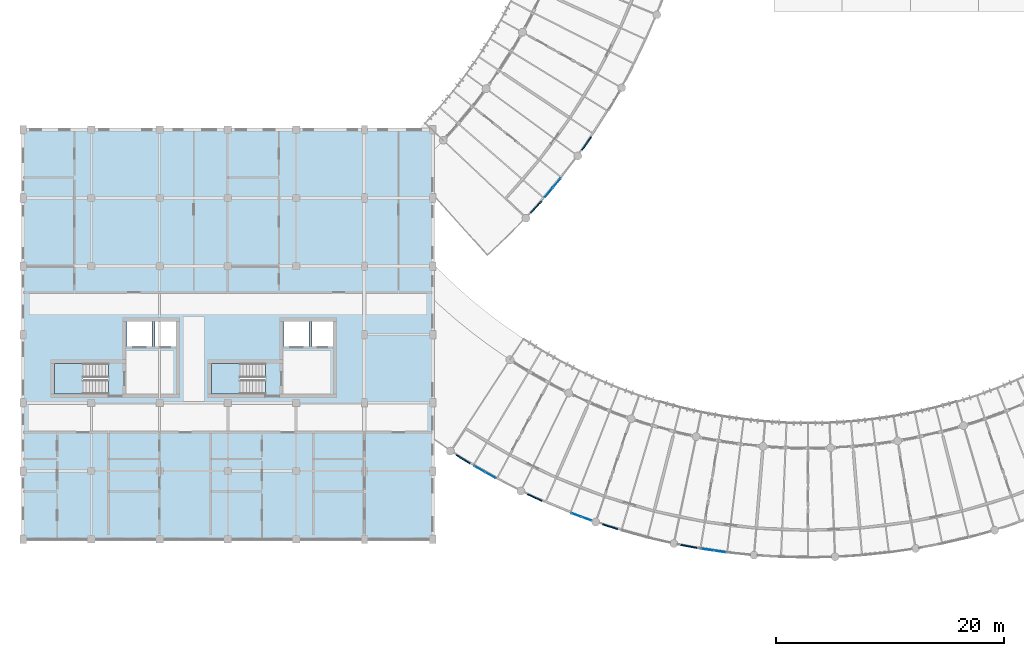
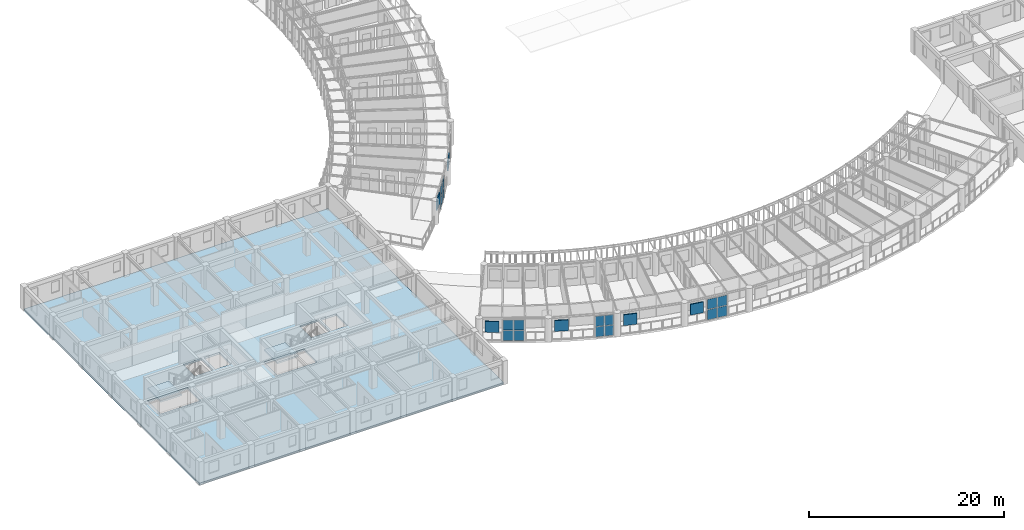
# One storey, part 43 of 100: 22 plates, 3 slabs, 6 elements without a shape of their own.
"""IFC4 building model written with IfcOpenShell, lengths in metres."""

from ifc_helpers import new_model, si_unit, direction, frame, origin, origin_2d, place, context, subcontext, project, spatial, polyline, rectangle, outline, extrude, material, layer, layer_set, type_object, element, aggregate, save


model = new_model("IFC4")

# Units and contexts
model_context = context("Model", 3, precision=1e-05, world=origin(), true_north=direction((0.0, 1.0)))
body_context = subcontext(model_context, "Body", "Model", "MODEL_VIEW")
ifc_project = project(units=[si_unit("LENGTHUNIT", "METRE"), si_unit("AREAUNIT", "SQUARE_METRE"), si_unit("VOLUMEUNIT", "CUBIC_METRE"), si_unit("PLANEANGLEUNIT", "RADIAN"), si_unit("MASSUNIT", "GRAM", prefix="KILO"), si_unit("POWERUNIT", "WATT"), si_unit("THERMODYNAMICTEMPERATUREUNIT", "KELVIN")], contexts=[model_context])

# Site, building, storey
site_placement = place(None, origin())
site = spatial("IfcSite", under=ifc_project, at=site_placement, CompositionType="ELEMENT")
building_placement = place(site_placement, origin())
building = spatial("IfcBuilding", under=site, at=building_placement, Name="Ruvembo Vaulted Housing Court", CompositionType="ELEMENT")
storey_placement = place(building_placement, frame((0.0, 0.0, 10.89990234375)))
storey = spatial("IfcBuildingStorey", under=building, at=storey_placement, Name="L03", CompositionType="ELEMENT", Elevation=10.89990234375)

# Curtain wall, plates
ifc_material_1 = material(Name="Anodised Aluminium and Solar-Control Glass", Category="aluminium")
ifc_layer_1 = layer(ifc_material_1, 0.1201171875, Name="Anodised Aluminium and Solar-Control Glass")
ifc_layer_set_1 = layer_set([ifc_layer_1], Name="Anodised Aluminium and Solar-Control Glass")
curtain_wall_type_1 = type_object("IfcCurtainWallType", Name="CW-SCOOP-GAL", PredefinedType="NOTDEFINED", material=ifc_layer_set_1)
curtain_wall_1_placement = place(storey_placement, origin())
curtain_wall_1 = element("IfcCurtainWall", 1, at=curtain_wall_1_placement, inside=storey, type_object=curtain_wall_type_1, Name="L03 Curtain Wall CW-L03-0042", PredefinedType="NOTDEFINED")
ifc_material_2 = material(Name="Solar-Control Laminated Insulating Glass", Category="glass")
ifc_layer_2 = layer(ifc_material_2, 0.035888671875, Name="Solar-Control Laminated Insulating Glass")
ifc_layer_set_2 = layer_set([ifc_layer_2], Name="Solar-Control Laminated Insulating Glass")
plate_type_1 = type_object("IfcPlateType", Name="CW-PANEL-ACOUST", PredefinedType="CURTAIN_PANEL", material=ifc_layer_set_2)
plate_1_placement = place(storey_placement, frame((48.62841796875, 8.132080078125, 0.06005859375), z_axis=(0.0, 0.0, 1.0), x_axis=(0.939141570025, -0.343530364672, 0.0)))
plate_1 = element("IfcPlate", 2, at=plate_1_placement, type_object=plate_type_1, Name="CW6 panel 1.1", PredefinedType="CURTAIN_PANEL", context=body_context, shape_type="SweptSolid", body=[
    extrude(rectangle(XDim=0.890380859375, YDim=0.035888671875, at=origin_2d()), origin(), (0.0, 0.0, 1.0), 1.259033203125),
])
plate_2_placement = place(storey_placement, frame((48.62841796875, 8.132080078125, 1.37890625), z_axis=(0.0, 0.0, 1.0), x_axis=(0.939141570025, -0.343530364672, 0.0)))
plate_2 = element("IfcPlate", 3, at=plate_2_placement, type_object=plate_type_1, Name="CW6 panel 1.2", PredefinedType="CURTAIN_PANEL", context=body_context, shape_type="SweptSolid", body=[
    extrude(rectangle(XDim=0.890380859375, YDim=0.035888671875, at=origin_2d()), origin(), (0.0, 0.0, 1.0), 1.259033203125),
])
plate_3_placement = place(storey_placement, frame((49.52587890625, 7.803955078125, 0.06005859375), z_axis=(0.0, 0.0, 1.0), x_axis=(0.939141570025, -0.343530364672, 0.0)))
plate_3 = element("IfcPlate", 4, at=plate_3_placement, type_object=plate_type_1, Name="CW6 panel 2.1", PredefinedType="CURTAIN_PANEL", context=body_context, shape_type="SweptSolid", body=[
    extrude(rectangle(XDim=0.890380859375, YDim=0.035888671875, at=origin_2d()), origin(), (0.0, 0.0, 1.0), 1.259033203125),
])
plate_4_placement = place(storey_placement, frame((49.52587890625, 7.803955078125, 1.37890625), z_axis=(0.0, 0.0, 1.0), x_axis=(0.939141570025, -0.343530364672, 0.0)))
plate_4 = element("IfcPlate", 5, at=plate_4_placement, type_object=plate_type_1, Name="CW6 panel 2.2", PredefinedType="CURTAIN_PANEL", context=body_context, shape_type="SweptSolid", body=[
    extrude(rectangle(XDim=0.890380859375, YDim=0.035888671875, at=origin_2d()), origin(), (0.0, 0.0, 1.0), 1.259033203125),
])
aggregate(curtain_wall_1, [plate_1, plate_2, plate_3, plate_4])

curtain_wall_2_placement = place(storey_placement, origin())
curtain_wall_2 = element("IfcCurtainWall", 6, at=curtain_wall_2_placement, inside=storey, type_object=curtain_wall_type_1, Name="L03 Curtain Wall CW-L03-0017", PredefinedType="NOTDEFINED")
ifc_layer_3 = layer(ifc_material_2, 0.028076171875, Name="Solar-Control Laminated Insulating Glass")
ifc_layer_set_3 = layer_set([ifc_layer_3], Name="Solar-Control Laminated Insulating Glass")
plate_type_2 = type_object("IfcPlateType", Name="CW-PANEL-GLAZED", PredefinedType="CURTAIN_PANEL", material=ifc_layer_set_3)
plate_5_placement = place(storey_placement, frame((46.207763671875, 36.468994140625, 0.06005859375), z_axis=(0.0, 0.0, 1.0), x_axis=(0.639868943167, 0.768484050303, 0.0)))
plate_5 = element("IfcPlate", 7, at=plate_5_placement, type_object=plate_type_2, Name="CW6 panel 1.1", PredefinedType="CURTAIN_PANEL", context=body_context, shape_type="SweptSolid", body=[
    extrude(rectangle(XDim=1.04833984375, YDim=0.028076171875, at=origin_2d()), origin(), (0.0, 0.0, 1.0), 1.259033203125),
])
plate_6_placement = place(storey_placement, frame((46.207763671875, 36.468994140625, 1.37890625), z_axis=(0.0, 0.0, 1.0), x_axis=(0.639868943167, 0.768484050303, 0.0)))
plate_6 = element("IfcPlate", 8, at=plate_6_placement, type_object=plate_type_2, Name="CW6 panel 1.2", PredefinedType="CURTAIN_PANEL", context=body_context, shape_type="SweptSolid", body=[
    extrude(rectangle(XDim=1.04833984375, YDim=0.028076171875, at=origin_2d()), origin(), (0.0, 0.0, 1.0), 1.259033203125),
])
plate_7_placement = place(storey_placement, frame((46.9169921875, 37.32080078125, 0.06005859375), z_axis=(0.0, 0.0, 1.0), x_axis=(0.639868943167, 0.768484050303, 0.0)))
plate_7 = element("IfcPlate", 9, at=plate_7_placement, type_object=plate_type_2, Name="CW6 panel 2.1", PredefinedType="CURTAIN_PANEL", context=body_context, shape_type="SweptSolid", body=[
    extrude(rectangle(XDim=1.04833984375, YDim=0.028076171875, at=origin_2d()), origin(), (0.0, 0.0, 1.0), 1.259033203125),
])
plate_8_placement = place(storey_placement, frame((46.9169921875, 37.32080078125, 1.37890625), z_axis=(0.0, 0.0, 1.0), x_axis=(0.639868943167, 0.768484050303, 0.0)))
plate_8 = element("IfcPlate", 10, at=plate_8_placement, type_object=plate_type_2, Name="CW6 panel 2.2", PredefinedType="CURTAIN_PANEL", context=body_context, shape_type="SweptSolid", body=[
    extrude(rectangle(XDim=1.04833984375, YDim=0.028076171875, at=origin_2d()), origin(), (0.0, 0.0, 1.0), 1.259033203125),
])
aggregate(curtain_wall_2, [plate_5, plate_6, plate_7, plate_8])

curtain_wall_3_placement = place(storey_placement, origin())
curtain_wall_3 = element("IfcCurtainWall", 11, at=curtain_wall_3_placement, inside=storey, type_object=curtain_wall_type_1, Name="L03 Curtain Wall CW-L03-0041", PredefinedType="NOTDEFINED")
plate_9_placement = place(storey_placement, frame((40.120849609375, 12.173828125, 0.06005859375), z_axis=(0.0, 0.0, 1.0), x_axis=(0.869984489964, -0.493079088202, 0.0)))
plate_9 = element("IfcPlate", 12, at=plate_9_placement, type_object=plate_type_2, Name="CW6 panel 1.1", PredefinedType="CURTAIN_PANEL", context=body_context, shape_type="SweptSolid", body=[
    extrude(rectangle(XDim=1.0478515625, YDim=0.028076171875, at=origin_2d()), origin(), (0.0, 0.0, 1.0), 1.259033203125),
])
plate_10_placement = place(storey_placement, frame((40.120849609375, 12.173828125, 1.37890625), z_axis=(0.0, 0.0, 1.0), x_axis=(0.869984489964, -0.493079088202, 0.0)))
plate_10 = element("IfcPlate", 13, at=plate_10_placement, type_object=plate_type_2, Name="CW6 panel 1.2", PredefinedType="CURTAIN_PANEL", context=body_context, shape_type="SweptSolid", body=[
    extrude(rectangle(XDim=1.0478515625, YDim=0.028076171875, at=origin_2d()), origin(), (0.0, 0.0, 1.0), 1.259033203125),
])
plate_11_placement = place(storey_placement, frame((41.084716796875, 11.62744140625, 0.06005859375), z_axis=(0.0, 0.0, 1.0), x_axis=(0.869984489964, -0.493079088202, 0.0)))
plate_11 = element("IfcPlate", 14, at=plate_11_placement, type_object=plate_type_2, Name="CW6 panel 2.1", PredefinedType="CURTAIN_PANEL", context=body_context, shape_type="SweptSolid", body=[
    extrude(rectangle(XDim=1.0478515625, YDim=0.028076171875, at=origin_2d()), origin(), (0.0, 0.0, 1.0), 1.259033203125),
])
plate_12_placement = place(storey_placement, frame((41.084716796875, 11.62744140625, 1.37890625), z_axis=(0.0, 0.0, 1.0), x_axis=(0.869984489964, -0.493079088202, 0.0)))
plate_12 = element("IfcPlate", 15, at=plate_12_placement, type_object=plate_type_2, Name="CW6 panel 2.2", PredefinedType="CURTAIN_PANEL", context=body_context, shape_type="SweptSolid", body=[
    extrude(rectangle(XDim=1.0478515625, YDim=0.028076171875, at=origin_2d()), origin(), (0.0, 0.0, 1.0), 1.259033203125),
])
aggregate(curtain_wall_3, [plate_9, plate_10, plate_11, plate_12])

ifc_layer_4 = layer(ifc_material_1, 0.139892578125, Name="Anodised Aluminium and Solar-Control Glass")
ifc_layer_set_4 = layer_set([ifc_layer_4], Name="Anodised Aluminium and Solar-Control Glass")
curtain_wall_type_2 = type_object("IfcCurtainWallType", Name="CW-SCOOP-PAN", PredefinedType="NOTDEFINED", material=ifc_layer_set_4)
curtain_wall_4_placement = place(storey_placement, origin())
curtain_wall_4 = element("IfcCurtainWall", 16, at=curtain_wall_4_placement, inside=storey, type_object=curtain_wall_type_2, Name="L03 Curtain Wall CW-L03-0043", PredefinedType="NOTDEFINED")
ifc_layer_5 = layer(ifc_material_2, 0.031982421875, Name="Solar-Control Laminated Insulating Glass")
ifc_layer_set_5 = layer_set([ifc_layer_5], Name="Solar-Control Laminated Insulating Glass")
plate_type_3 = type_object("IfcPlateType", Name="CW-PANEL-SOLAR", PredefinedType="CURTAIN_PANEL", material=ifc_layer_set_5)
plate_13_placement = place(storey_placement, frame((60.16455078125, 5.09130859375, 0.065185546875), z_axis=(0.0, 0.0, 1.0), x_axis=(0.989599407362, -0.143850661969, 0.0)))
plate_13 = element("IfcPlate", 17, at=plate_13_placement, type_object=plate_type_3, Name="CW10 panel 1.1", PredefinedType="CURTAIN_PANEL", context=body_context, shape_type="SweptSolid", body=[
    extrude(rectangle(XDim=1.055419921875, YDim=0.031982421875, at=origin_2d()), origin(), (0.0, 0.0, 1.0), 1.25146484375),
])
plate_14_placement = place(storey_placement, frame((60.16455078125, 5.09130859375, 1.381591796875), z_axis=(0.0, 0.0, 1.0), x_axis=(0.989599407362, -0.143850661969, 0.0)))
plate_14 = element("IfcPlate", 18, at=plate_14_placement, type_object=plate_type_3, Name="CW10 panel 1.2", PredefinedType="CURTAIN_PANEL", context=body_context, shape_type="SweptSolid", body=[
    extrude(rectangle(XDim=1.055419921875, YDim=0.031982421875, at=origin_2d()), origin(), (0.0, 0.0, 1.0), 1.25146484375),
])
plate_15_placement = place(storey_placement, frame((61.263427734375, 4.931640625, 0.065185546875), z_axis=(0.0, 0.0, 1.0), x_axis=(0.989599407362, -0.143850661969, 0.0)))
plate_15 = element("IfcPlate", 19, at=plate_15_placement, type_object=plate_type_3, Name="CW10 panel 2.1", PredefinedType="CURTAIN_PANEL", context=body_context, shape_type="SweptSolid", body=[
    extrude(rectangle(XDim=1.055419921875, YDim=0.031982421875, at=origin_2d()), origin(), (0.0, 0.0, 1.0), 1.25146484375),
])
plate_16_placement = place(storey_placement, frame((61.263427734375, 4.931640625, 1.381591796875), z_axis=(0.0, 0.0, 1.0), x_axis=(0.989599407362, -0.143850661969, 0.0)))
plate_16 = element("IfcPlate", 20, at=plate_16_placement, type_object=plate_type_3, Name="CW10 panel 2.2", PredefinedType="CURTAIN_PANEL", context=body_context, shape_type="SweptSolid", body=[
    extrude(rectangle(XDim=1.055419921875, YDim=0.031982421875, at=origin_2d()), origin(), (0.0, 0.0, 1.0), 1.25146484375),
])
aggregate(curtain_wall_4, [plate_13, plate_14, plate_15, plate_16])

# Plates
ifc_material_3 = material(Name="Perforated Glazed Ceramic Cobogo Block", Category="ceramic")
ifc_layer_6 = layer(ifc_material_3, 0.1201171875, Name="Perforated Glazed Ceramic Cobogo Block")
ifc_layer_set_6 = layer_set([ifc_layer_6], Name="Perforated Glazed Ceramic Cobogo Block")
plate_type_4 = type_object("IfcPlateType", Name="PL-COBOGO-120", PredefinedType="USERDEFINED", material=ifc_layer_set_6)
for number, where, z_axis, x_axis, name in (
    (21, (45.105712890625, 35.2119140625, 1.1201171875), (0.0, 0.0, 1.0), (0.670815024682, 0.741624704726, 0.0), "Scoop SC1 L03 Ceramic Cobogo Screen #13"),
    (22, (49.53662109375, 40.790283203125, 1.1201171875), (0.0, 0.0, 1.0), (0.574805323191, 0.818290193288, 0.0), "Scoop SC1 L03 Ceramic Cobogo Screen #14"),
    (23, (38.68798828125, 13.03515625, 1.1201171875), (0.0, 0.0, 1.0), (0.848888670256, -0.528571684363, 0.0), "Scoop SC2 L03 Ceramic Cobogo Screen #47"),
    (24, (44.964111328125, 9.66796875, 1.1201171875), (0.0, 0.0, 1.0), (0.90764565898, -0.419737248448, 0.0), "Scoop SC2 L03 Ceramic Cobogo Screen #48"),
    (25, (51.608154296875, 7.10107421875, 1.1201171875), (0.0, 0.0, 1.0), (0.952523417345, -0.304465333674, 0.0), "Scoop SC2 L03 Ceramic Cobogo Screen #49"),
    (26, (58.51806640625, 5.3740234375, 1.1201171875), (0.0, 0.0, 1.0), (0.982816353606, -0.184586064165, 0.0), "Scoop SC2 L03 Ceramic Cobogo Screen #50"),
):
    element("IfcPlate", number, at=place(storey_placement, frame(where, z_axis=z_axis, x_axis=x_axis)), inside=storey, type_object=plate_type_4, Name=name, ObjectType="COBOGO_PANEL", PredefinedType="USERDEFINED", context=body_context, shape_type="SweptSolid", body=[
        extrude(rectangle(XDim=1.39990234375, YDim=0.1201171875, at=origin_2d()), origin(), (0.0, 0.0, 1.0), 1.360107421875),
    ])

# Slab
ifc_material_4 = material(Name="Concrete C30/37", Category="concrete")
ifc_layer_7 = layer(ifc_material_4, 0.2451171875, Name="Concrete C30/37")
ifc_layer_set_7 = layer_set([ifc_layer_7], Name="Concrete C30/37")
slab_type_1 = type_object("IfcSlabType", Name="SL-FLR-245", PredefinedType="FLOOR", material=ifc_layer_set_7)
slab_1_placement = place(storey_placement, frame((0.0, 0.0, -0.244873046875)))
element("IfcSlab", 27, at=slab_1_placement, inside=storey, type_object=slab_type_1, Name="Block A L03 Structural Floor Slab", PredefinedType="FLOOR", context=body_context, shape_type="SweptSolid", body=[
    extrude(outline(polyline([(36.0, 6.0), (36.0, 42.0), (0.0, 42.0), (0.0, 6.0), (36.0, 6.0)]), holes=[polyline([(7.5, 21.449951171875), (2.75, 21.449951171875), (2.75, 18.75), (7.5, 18.75), (7.5, 21.449951171875)]), polyline([(9.14990234375, 22.85009765625), (11.35009765625, 22.85009765625), (11.35009765625, 25.25), (9.14990234375, 25.25), (9.14990234375, 22.85009765625)]), polyline([(11.60009765625, 22.85009765625), (13.449951171875, 22.85009765625), (13.449951171875, 25.25), (11.60009765625, 25.25), (11.60009765625, 22.85009765625)]), polyline([(21.300048828125, 21.449951171875), (16.550048828125, 21.449951171875), (16.550048828125, 18.75), (21.300048828125, 18.75), (21.300048828125, 21.449951171875)]), polyline([(22.949951171875, 22.85009765625), (25.14990234375, 22.85009765625), (25.14990234375, 25.25), (22.949951171875, 25.25), (22.949951171875, 22.85009765625)]), polyline([(25.39990234375, 22.85009765625), (27.25, 22.85009765625), (27.25, 25.25), (25.39990234375, 25.25), (25.39990234375, 22.85009765625)])]), origin(), (0.0, 0.0, 1.0), 0.244873046875),
])

# Stair, slab
ifc_material_5 = material(Name="Concrete C35/45", Category="concrete")
stair_type = type_object("IfcStairType", Name="STR-CORE-1250", PredefinedType="HALF_TURN_STAIR", material=ifc_material_5)
stair_1_placement = place(storey_placement, origin())
stair_1 = element("IfcStair", 28, at=stair_1_placement, inside=storey, type_object=stair_type, Name="L03 Protected Exit Stair ST-A1", PredefinedType="HALF_TURN_STAIR")
ifc_layer_8 = layer(ifc_material_4, 0.201904296875, Name="Concrete C30/37")
ifc_layer_set_8 = layer_set([ifc_layer_8], Name="Concrete C30/37")
slab_type_2 = type_object("IfcSlabType", Name="SL-LAND-202", PredefinedType="LANDING", material=ifc_layer_set_8)
slab_2_placement = place(storey_placement, frame((0.0, 0.0, 1.400146484375)))
slab_2 = element("IfcSlab", 29, at=slab_2_placement, type_object=slab_type_2, Name="ST-A1 landing 1", PredefinedType="LANDING", context=body_context, shape_type="SweptSolid", body=[
    extrude(outline(polyline([(5.260009765625, 21.449951171875), (2.75, 21.449951171875), (2.75, 18.75), (5.260009765625, 18.75), (5.260009765625, 21.449951171875)])), origin(), (0.0, 0.0, 1.0), 0.199951171875),
])
aggregate(stair_1, [slab_2])

stair_2_placement = place(storey_placement, origin())
stair_2 = element("IfcStair", 30, at=stair_2_placement, inside=storey, type_object=stair_type, Name="L03 Protected Exit Stair ST-A2", PredefinedType="HALF_TURN_STAIR")
slab_3_placement = place(storey_placement, frame((0.0, 0.0, 1.400146484375)))
slab_3 = element("IfcSlab", 31, at=slab_3_placement, type_object=slab_type_2, Name="ST-A2 landing 1", PredefinedType="LANDING", context=body_context, shape_type="SweptSolid", body=[
    extrude(outline(polyline([(19.06005859375, 21.449951171875), (16.550048828125, 21.449951171875), (16.550048828125, 18.75), (19.06005859375, 18.75), (19.06005859375, 21.449951171875)])), origin(), (0.0, 0.0, 1.0), 0.199951171875),
])
aggregate(stair_2, [slab_3])

save(model, "model.ifc")
